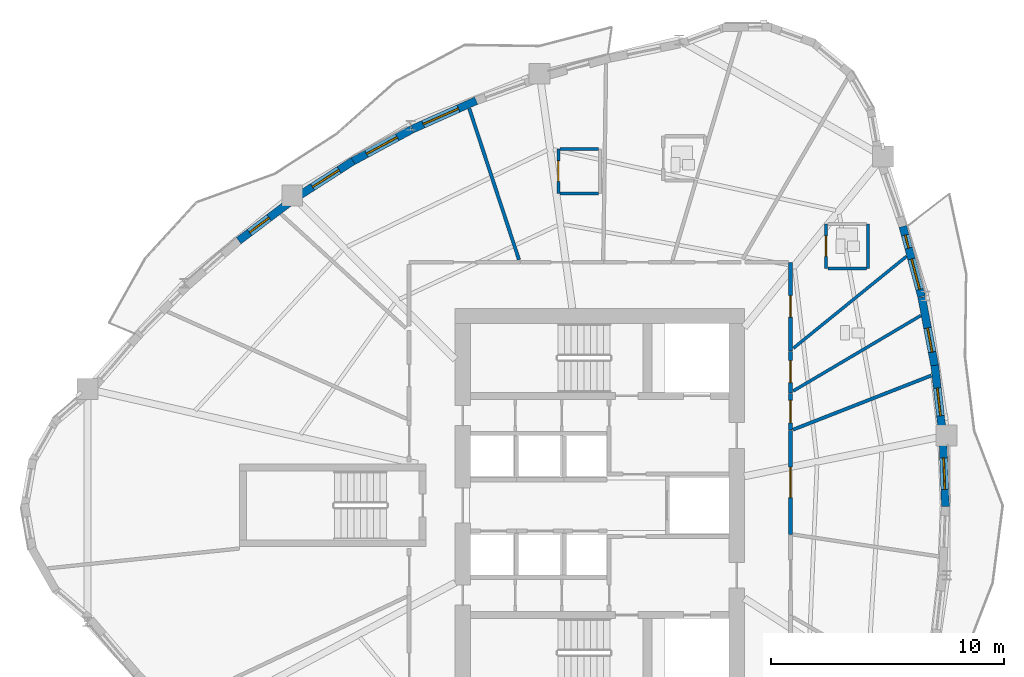
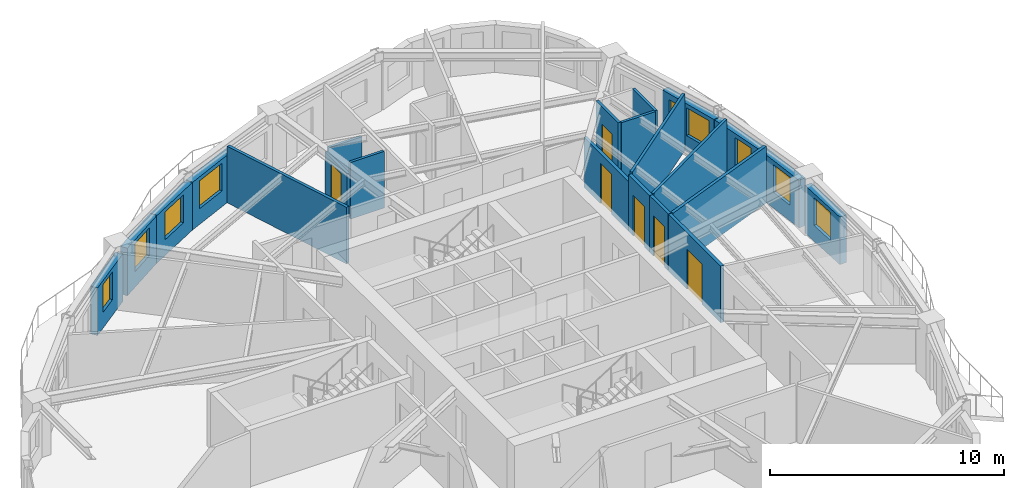
# One storey, part 7 of 12: 22 walls, 9 windows, 6 doors, 15 openings.
"""IFC4 building model written with IfcOpenShell, lengths in metres."""

from ifc_helpers import new_model, si_unit, direction, frame, frame_2d, origin, place, context, subcontext, project, spatial, rectangle, extrude, source, transform, mapped, material, layer, layer_set, type_object, element, fill, save


model = new_model("IFC4")

# Units and contexts
model_context = context("Model", 3, precision=1e-05, world=origin(), true_north=direction((0.0, 1.0)))
body_context = subcontext(model_context, "Body", "Model", "MODEL_VIEW")
ifc_project = project(units=[si_unit("LENGTHUNIT", "METRE"), si_unit("AREAUNIT", "SQUARE_METRE"), si_unit("VOLUMEUNIT", "CUBIC_METRE"), si_unit("PLANEANGLEUNIT", "RADIAN"), si_unit("MASSUNIT", "GRAM", prefix="KILO")], contexts=[model_context])

# Site, building, storey
site_placement = place(None, origin())
site = spatial("IfcSite", under=ifc_project, at=site_placement, CompositionType="ELEMENT")
building_placement = place(site_placement, origin())
building = spatial("IfcBuilding", under=site, at=building_placement, Name="Qafzar Sky-Pleat Residences", CompositionType="ELEMENT")
storey_placement = place(building_placement, frame((0.0, 0.0, 96.0)))
storey = spatial("IfcBuildingStorey", under=building, at=storey_placement, Name="L28", CompositionType="ELEMENT", Elevation=96.0)

# Wall, opening, door
ifc_material_1 = material(Name="Acoustic gypsum plasterboard partition", Category="gypsum")
ifc_layer_1 = layer(ifc_material_1, 0.159912109375)
ifc_layer_set_1 = layer_set([ifc_layer_1], Name="Acoustic gypsum plasterboard partition")
wall_type_1 = type_object("IfcWallType", Name="PART-COR-160", PredefinedType="PARTITIONING", material=ifc_layer_set_1)
wall_1_placement = place(storey_placement, frame((38.530029296875, 29.219970703125, 0.0), z_axis=(0.0, 0.0, 1.0), x_axis=(0.0, -1.0, 0.0)))
wall_1 = element("IfcWall", 1, at=wall_1_placement, inside=storey, type_object=wall_type_1, Name="L28 Partition Wall PART-L28-PW-006", PredefinedType="PARTITIONING", context=body_context, shape_type="SweptSolid", body=[
    extrude(rectangle(XDim=4.467041015625, YDim=0.159912109375, at=frame_2d((2.2333984375, 0.0))), origin(), (0.0, 0.0, 1.0), 2.949951171875),
])
opening_1_placement = place(wall_1_placement, frame((1.583984375, 0.0, 0.0)))
opening_1 = element("IfcOpeningElement", 2, at=opening_1_placement, cuts=wall_1, Name="Opening ID-05", PredefinedType="OPENING", context=body_context, shape_type="SweptSolid", body=[
    extrude(rectangle(XDim=1.300048828125, YDim=2.10009765625, at=frame_2d((0.64990234375, 1.050048828125))), frame((0.0, 0.08984375, 0.0), z_axis=(0.0, -1.0, 0.0), x_axis=(1.0, 0.0, 0.0)), (0.0, 0.0, 1.0), 0.179931640625),
])
ifc_material_2 = material(Name="Timber-faced fire door", Category="wood")
door_type_1 = type_object("IfcDoorType", Name="DR-LNG-1300", OperationType="DOUBLE_DOOR_SINGLE_SWING", PredefinedType="DOOR", material=ifc_material_2)
shared_shape_1 = source(origin(), body_context, "Body", "SweptSolid", [
    extrude(rectangle(XDim=1.300048828125, YDim=2.10009765625, at=frame_2d((0.64990234375, 1.050048828125))), frame((0.0, 0.02490234375, 0.0), z_axis=(0.0, -1.0, 0.0), x_axis=(1.0, 0.0, 0.0)), (0.0, 0.0, 1.0), 0.050048828125),
])
door_1_placement = place(opening_1_placement, origin())
door_1 = element("IfcDoor", 3, at=door_1_placement, inside=storey, type_object=door_type_1, Name="L28 Co-Living Lounge Door", OperationType="DOUBLE_DOOR_SINGLE_SWING", OverallHeight=2.10009765625, OverallWidth=1.300048828125, PredefinedType="DOOR", context=body_context, shape_type="MappedRepresentation", body=[
    mapped(shared_shape_1, transform((0.0, 0.0, 0.0), x_axis=(1.0, 0.0, 0.0), y_axis=(0.0, 1.0, 0.0), z_axis=(0.0, 0.0, 1.0), scale=1.0)),
])
fill(opening_1, door_1)

wall_2_placement = place(storey_placement, frame((38.530029296875, 36.429931640625, 0.0), z_axis=(0.0, 0.0, 1.0), x_axis=(0.0, -1.0, 0.0)))
wall_2 = element("IfcWall", 4, at=wall_2_placement, inside=storey, type_object=wall_type_1, Name="L28 Partition Wall PART-L28-PW-009", PredefinedType="PARTITIONING", context=body_context, shape_type="SweptSolid", body=[
    extrude(rectangle(XDim=3.809814453125, YDim=0.159912109375, at=frame_2d((1.90478515625, 0.0))), origin(), (0.0, 0.0, 1.0), 2.587890625),
])
opening_2_placement = place(wall_2_placement, frame((1.435546875, 0.0, 0.0)))
opening_2 = element("IfcOpeningElement", 5, at=opening_2_placement, cuts=wall_2, Name="Opening ID-04", PredefinedType="OPENING", context=body_context, shape_type="SweptSolid", body=[
    extrude(rectangle(XDim=0.919921875, YDim=2.10009765625, at=frame_2d((0.4599609375, 1.050048828125))), frame((0.0, 0.08984375, 0.0), z_axis=(0.0, -1.0, 0.0), x_axis=(1.0, 0.0, 0.0)), (0.0, 0.0, 1.0), 0.179931640625),
])
door_type_2 = type_object("IfcDoorType", Name="DR-BED-920", OperationType="NOTDEFINED", PredefinedType="DOOR", material=ifc_material_2)
shared_shape_2 = source(origin(), body_context, "Body", "SweptSolid", [
    extrude(rectangle(XDim=0.919921875, YDim=2.10009765625, at=frame_2d((0.4599609375, 1.050048828125))), frame((0.0, 0.02490234375, 0.0), z_axis=(0.0, -1.0, 0.0), x_axis=(1.0, 0.0, 0.0)), (0.0, 0.0, 1.0), 0.050048828125),
])
door_2_placement = place(opening_2_placement, origin())
door_2 = element("IfcDoor", 6, at=door_2_placement, inside=storey, type_object=door_type_2, Name="L28 Co-Living Bedroom 2 Door", OperationType="SINGLE_SWING_LEFT", OverallHeight=2.10009765625, OverallWidth=0.919921875, PredefinedType="DOOR", context=body_context, shape_type="MappedRepresentation", body=[
    mapped(shared_shape_2, transform((0.0, 0.0, 0.0), x_axis=(1.0, 0.0, 0.0), y_axis=(0.0, 1.0, 0.0), z_axis=(0.0, 0.0, 1.0), scale=1.0)),
])
fill(opening_2, door_2)

wall_3_placement = place(storey_placement, frame((38.530029296875, 32.60498046875, 0.0), z_axis=(0.0, 0.0, 1.0), x_axis=(0.0, -1.0, 0.0)))
wall_3 = element("IfcWall", 7, at=wall_3_placement, inside=storey, type_object=wall_type_1, Name="L28 Partition Wall PART-L28-PW-020", PredefinedType="PARTITIONING", context=body_context, shape_type="SweptSolid", body=[
    extrude(rectangle(XDim=1.785888671875, YDim=0.159912109375, at=frame_2d((0.89306640625, 0.0))), origin(), (0.0, 0.0, 1.0), 2.949951171875),
])
opening_3_placement = place(wall_3_placement, frame((0.392578125, 0.0, 0.0)))
opening_3 = element("IfcOpeningElement", 8, at=opening_3_placement, cuts=wall_3, Name="Opening ID-08", PredefinedType="OPENING", context=body_context, shape_type="SweptSolid", body=[
    extrude(rectangle(XDim=0.949951171875, YDim=2.10009765625, at=frame_2d((0.47509765625, 1.050048828125))), frame((0.0, 0.08984375, 0.0), z_axis=(0.0, -1.0, 0.0), x_axis=(1.0, 0.0, 0.0)), (0.0, 0.0, 1.0), 0.179931640625),
])
door_type_3 = type_object("IfcDoorType", Name="DR-AWC-950", OperationType="NOTDEFINED", PredefinedType="DOOR", material=ifc_material_2)
shared_shape_3 = source(origin(), body_context, "Body", "SweptSolid", [
    extrude(rectangle(XDim=0.949951171875, YDim=2.10009765625, at=frame_2d((0.47509765625, 1.050048828125))), frame((0.0, 0.02490234375, 0.0), z_axis=(0.0, -1.0, 0.0), x_axis=(1.0, 0.0, 0.0)), (0.0, 0.0, 1.0), 0.050048828125),
])
door_3_placement = place(opening_3_placement, origin())
door_3 = element("IfcDoor", 9, at=door_3_placement, inside=storey, type_object=door_type_3, Name="L28 Accessible Shared Washroom Door", OperationType="SINGLE_SWING_LEFT", OverallHeight=2.10009765625, OverallWidth=0.949951171875, PredefinedType="DOOR", context=body_context, shape_type="MappedRepresentation", body=[
    mapped(shared_shape_3, transform((0.0, 0.0, 0.0), x_axis=(1.0, 0.0, 0.0), y_axis=(0.0, 1.0, 0.0), z_axis=(0.0, 0.0, 1.0), scale=1.0)),
])
fill(opening_3, door_3)

wall_4_placement = place(storey_placement, frame((38.530029296875, 30.803955078125, 0.0), z_axis=(0.0, 0.0, 1.0), x_axis=(0.0, -1.0, 0.0)))
wall_4 = element("IfcWall", 10, at=wall_4_placement, inside=storey, type_object=wall_type_1, Name="L28 Partition Wall PART-L28-PW-021", PredefinedType="PARTITIONING", context=body_context, shape_type="SweptSolid", body=[
    extrude(rectangle(XDim=1.56884765625, YDim=0.159912109375, at=frame_2d((0.784423828125, 0.0))), origin(), (0.0, 0.0, 1.0), 2.949951171875),
])
opening_4_placement = place(wall_4_placement, frame((0.303955078125, 0.0, 0.0)))
opening_4 = element("IfcOpeningElement", 11, at=opening_4_placement, cuts=wall_4, Name="Opening ID-06", PredefinedType="OPENING", context=body_context, shape_type="SweptSolid", body=[
    extrude(rectangle(XDim=0.9599609375, YDim=2.10009765625, at=frame_2d((0.47998046875, 1.050048828125))), frame((0.0, 0.08984375, 0.0), z_axis=(0.0, -1.0, 0.0), x_axis=(1.0, 0.0, 0.0)), (0.0, 0.0, 1.0), 0.179931640625),
])
door_type_4 = type_object("IfcDoorType", Name="DR-STD-960", OperationType="NOTDEFINED", PredefinedType="DOOR", material=ifc_material_2)
shared_shape_4 = source(origin(), body_context, "Body", "SweptSolid", [
    extrude(rectangle(XDim=0.9599609375, YDim=2.10009765625, at=frame_2d((0.47998046875, 1.050048828125))), frame((0.0, 0.02490234375, 0.0), z_axis=(0.0, -1.0, 0.0), x_axis=(1.0, 0.0, 0.0)), (0.0, 0.0, 1.0), 0.050048828125),
])
door_4_placement = place(opening_4_placement, origin())
door_4 = element("IfcDoor", 12, at=door_4_placement, inside=storey, type_object=door_type_4, Name="L28 Scholar Study Room Door", OperationType="SINGLE_SWING_RIGHT", OverallHeight=2.10009765625, OverallWidth=0.9599609375, PredefinedType="DOOR", context=body_context, shape_type="MappedRepresentation", body=[
    mapped(shared_shape_4, transform((0.0, 0.0, 0.0), x_axis=(1.0, 0.0, 0.0), y_axis=(0.0, 1.0, 0.0), z_axis=(0.0, 0.0, 1.0), scale=1.0)),
])
fill(opening_4, door_4)

# Walls
ifc_layer_2 = layer(ifc_material_1, 0.14501953125)
ifc_layer_set_2 = layer_set([ifc_layer_2], Name="Acoustic gypsum plasterboard partition")
wall_type_2 = type_object("IfcWallType", Name="PART-UNIT-145", PredefinedType="PARTITIONING", material=ifc_layer_set_2)
wall_5_placement = place(storey_placement, frame((24.751953125, 43.027099609375, 0.0), z_axis=(0.0, 0.0, 1.0), x_axis=(0.312342290808, -0.949969627606, 0.0)))
element("IfcWall", 13, at=wall_5_placement, inside=storey, type_object=wall_type_2, Name="L28 Partition Wall PART-L28-PW-031", PredefinedType="PARTITIONING", context=body_context, shape_type="SweptSolid", body=[
    extrude(rectangle(XDim=6.828369140625, YDim=0.14501953125, at=frame_2d((3.4140625, 0.0))), origin(), (0.0, 0.0, 1.0), 2.949951171875),
])
wall_6_placement = place(storey_placement, frame((38.643798828125, 29.24853515625, 0.0), z_axis=(0.0, 0.0, 1.0), x_axis=(0.931159602012, 0.364611842349, 0.0)))
element("IfcWall", 14, at=wall_6_placement, inside=storey, type_object=wall_type_2, Name="L28 Partition Wall PART-L28-PW-032", PredefinedType="PARTITIONING", context=body_context, shape_type="SweptSolid", body=[
    extrude(rectangle(XDim=6.367919921875, YDim=0.14501953125, at=frame_2d((3.18408203125, 0.0))), origin(), (0.0, 0.0, 1.0), 2.949951171875),
])

# Wall, opening, door
ifc_material_3 = material(Name="Moisture-resistant gypsum partition", Category="gypsum")
ifc_layer_3 = layer(ifc_material_3, 0.1298828125)
ifc_layer_set_3 = layer_set([ifc_layer_3], Name="Moisture-resistant gypsum partition")
wall_type_3 = type_object("IfcWallType", Name="PART-WET-130", PredefinedType="PARTITIONING", material=ifc_layer_set_3)
wall_7_placement = place(storey_placement, frame((40.05810546875, 38.06689453125, 0.0), z_axis=(0.0, 0.0, 1.0), x_axis=(0.0, -1.0, 0.0)))
wall_7 = element("IfcWall", 15, at=wall_7_placement, inside=storey, type_object=wall_type_3, Name="L28 Partition Wall PART-L28-PW-016", PredefinedType="PARTITIONING", context=body_context, shape_type="SweptSolid", body=[
    extrude(rectangle(XDim=1.89990234375, YDim=0.1298828125, at=frame_2d((0.949951171875, 0.0))), origin(), (0.0, 0.0, 1.0), 2.949951171875),
])
opening_5_placement = place(wall_7_placement, frame((0.510009765625, 0.0, 0.0)))
opening_5 = element("IfcOpeningElement", 16, at=opening_5_placement, cuts=wall_7, Name="Opening ID-07", PredefinedType="OPENING", context=body_context, shape_type="SweptSolid", body=[
    extrude(rectangle(XDim=0.8798828125, YDim=2.050048828125, at=frame_2d((0.43994140625, 1.02490234375))), frame((0.0, 0.074951171875, 0.0), z_axis=(0.0, -1.0, 0.0), x_axis=(1.0, 0.0, 0.0)), (0.0, 0.0, 1.0), 0.14990234375),
])
door_type_5 = type_object("IfcDoorType", Name="DR-WET-880", OperationType="NOTDEFINED", PredefinedType="DOOR", material=ifc_material_2)
shared_shape_5 = source(origin(), body_context, "Body", "SweptSolid", [
    extrude(rectangle(XDim=0.8798828125, YDim=2.050048828125, at=frame_2d((0.43994140625, 1.02490234375))), frame((0.0, 0.02490234375, 0.0), z_axis=(0.0, -1.0, 0.0), x_axis=(1.0, 0.0, 0.0)), (0.0, 0.0, 1.0), 0.050048828125),
])
door_5_placement = place(opening_5_placement, origin())
door_5 = element("IfcDoor", 17, at=door_5_placement, inside=storey, type_object=door_type_5, Name="L28 En-suite Bathroom 2 Door", OperationType="SINGLE_SWING_RIGHT", OverallHeight=2.050048828125, OverallWidth=0.8798828125, PredefinedType="DOOR", context=body_context, shape_type="MappedRepresentation", body=[
    mapped(shared_shape_5, transform((0.0, 0.0, 0.0), x_axis=(1.0, 0.0, 0.0), y_axis=(0.0, 1.0, 0.0), z_axis=(0.0, 0.0, 1.0), scale=1.0)),
])
fill(opening_5, door_5)

wall_8_placement = place(storey_placement, frame((28.570068359375, 41.285888671875, 0.0), z_axis=(0.0, 0.0, 1.0), x_axis=(0.0, -1.0, 0.0)))
wall_8 = element("IfcWall", 18, at=wall_8_placement, inside=storey, type_object=wall_type_3, Name="L28 Partition Wall PART-L28-PW-018", PredefinedType="PARTITIONING", context=body_context, shape_type="SweptSolid", body=[
    extrude(rectangle(XDim=1.89990234375, YDim=0.1298828125, at=frame_2d((0.949951171875, 0.0))), origin(), (0.0, 0.0, 1.0), 2.367919921875),
])
opening_6_placement = place(wall_8_placement, frame((0.510009765625, 0.0, 0.0)))
opening_6 = element("IfcOpeningElement", 19, at=opening_6_placement, cuts=wall_8, Name="Opening ID-07", PredefinedType="OPENING", context=body_context, shape_type="SweptSolid", body=[
    extrude(rectangle(XDim=0.8798828125, YDim=2.050048828125, at=frame_2d((0.43994140625, 1.02490234375))), frame((0.0, 0.074951171875, 0.0), z_axis=(0.0, -1.0, 0.0), x_axis=(1.0, 0.0, 0.0)), (0.0, 0.0, 1.0), 0.14990234375),
])
door_6_placement = place(opening_6_placement, origin())
door_6 = element("IfcDoor", 20, at=door_6_placement, inside=storey, type_object=door_type_5, Name="L28 En-suite Bathroom 4 Door", OperationType="SINGLE_SWING_RIGHT", OverallHeight=2.050048828125, OverallWidth=0.8798828125, PredefinedType="DOOR", context=body_context, shape_type="MappedRepresentation", body=[
    mapped(shared_shape_5, transform((0.0, 0.0, 0.0), x_axis=(1.0, 0.0, 0.0), y_axis=(0.0, 1.0, 0.0), z_axis=(0.0, 0.0, 1.0), scale=1.0)),
])
fill(opening_6, door_6)

# Walls
wall_9_placement = place(storey_placement, frame((38.64990234375, 30.906982421875, 0.0), z_axis=(0.0, 0.0, 1.0), x_axis=(0.860799697267, 0.508943888052, 0.0)))
element("IfcWall", 21, at=wall_9_placement, inside=storey, type_object=wall_type_3, Name="L28 Partition Wall PART-L28-PW-033", PredefinedType="PARTITIONING", context=body_context, shape_type="SweptSolid", body=[
    extrude(rectangle(XDim=6.36279296875, YDim=0.1298828125, at=frame_2d((3.181396484375, 0.0))), origin(), (0.0, 0.0, 1.0), 2.949951171875),
])
wall_10_placement = place(storey_placement, frame((38.6572265625, 32.7421875, 0.0), z_axis=(0.0, 0.0, 1.0), x_axis=(0.776413778101, 0.630223488276, 0.0)))
element("IfcWall", 22, at=wall_10_placement, inside=storey, type_object=wall_type_3, Name="L28 Partition Wall PART-L28-PW-036", PredefinedType="PARTITIONING", context=body_context, shape_type="SweptSolid", body=[
    extrude(rectangle(XDim=6.2509765625, YDim=0.1298828125, at=frame_2d((3.12548828125, 0.0))), origin(), (0.0, 0.0, 1.0), 2.949951171875),
])
wall_11_placement = place(storey_placement, frame((41.85791015625, 36.1669921875, 0.0), z_axis=(0.0, 0.0, 1.0), x_axis=(0.0, 1.0, 0.0)))
element("IfcWall", 23, at=wall_11_placement, inside=storey, type_object=wall_type_3, Name="L28 Partition Wall PART-L28-PW-043", PredefinedType="PARTITIONING", context=body_context, shape_type="SweptSolid", body=[
    extrude(rectangle(XDim=1.89990234375, YDim=0.1298828125, at=frame_2d((0.949951171875, 0.0))), origin(), (0.0, 0.0, 1.0), 2.949951171875),
])
wall_12_placement = place(storey_placement, frame((28.64306640625, 41.285888671875, 0.0), z_axis=(0.0, 0.0, 1.0), x_axis=(1.0, 0.0, 0.0)))
element("IfcWall", 24, at=wall_12_placement, inside=storey, type_object=wall_type_3, Name="L28 Partition Wall PART-L28-PW-048", PredefinedType="PARTITIONING", context=body_context, shape_type="SweptSolid", body=[
    extrude(rectangle(XDim=1.654052734375, YDim=0.1298828125, at=frame_2d((0.8271484375, 0.0))), origin(), (0.0, 0.0, 1.0), 2.55810546875),
])
wall_13_placement = place(storey_placement, frame((28.64306640625, 39.385986328125, 0.0), z_axis=(0.0, 0.0, 1.0), x_axis=(1.0, 0.0, 0.0)))
element("IfcWall", 25, at=wall_13_placement, inside=storey, type_object=wall_type_3, Name="L28 Partition Wall PART-L28-PW-049", PredefinedType="PARTITIONING", context=body_context, shape_type="SweptSolid", body=[
    extrude(rectangle(XDim=1.654052734375, YDim=0.1298828125, at=frame_2d((0.8271484375, 0.0))), origin(), (0.0, 0.0, 1.0), 2.949951171875),
])
wall_14_placement = place(storey_placement, frame((40.131103515625, 36.1669921875, 0.0), z_axis=(0.0, 0.0, 1.0), x_axis=(1.0, 0.0, 0.0)))
element("IfcWall", 26, at=wall_14_placement, inside=storey, type_object=wall_type_3, Name="L28 Partition Wall PART-L28-PW-051", PredefinedType="PARTITIONING", context=body_context, shape_type="SweptSolid", body=[
    extrude(rectangle(XDim=1.65380859375, YDim=0.1298828125, at=frame_2d((0.826904296875, 0.0))), origin(), (0.0, 0.0, 1.0), 2.949951171875),
])

# Wall, opening, window
ifc_material_4 = material(Name="Precast concrete C40/50 with honed Riyadh limestone", Category="concrete")
ifc_layer_4 = layer(ifc_material_4, 0.340087890625)
ifc_layer_set_4 = layer_set([ifc_layer_4], Name="Precast concrete C40/50 with honed Riyadh limestone")
wall_type_4 = type_object("IfcWallType", Name="WALL-EXT-340", PredefinedType="SOLIDWALL", material=ifc_layer_set_4)
wall_15_placement = place(storey_placement, frame((45.18115234375, 25.95556640625, 0.0), z_axis=(0.0, 0.0, 1.0), x_axis=(-0.037958336355, 0.999279322663, 0.0)))
wall_15 = element("IfcWall", 27, at=wall_15_placement, inside=storey, type_object=wall_type_4, Name="L28 Limestone Facade Wall 28", PredefinedType="SOLIDWALL", context=body_context, shape_type="SweptSolid", body=[
    extrude(rectangle(XDim=2.80419921875, YDim=0.340087890625, at=frame_2d((1.402099609375, 0.0))), origin(), (0.0, 0.0, 1.0), 2.47998046875),
])
opening_7_placement = place(wall_15_placement, frame((0.732177734375, 0.0, 0.820068359375)))
opening_7 = element("IfcOpeningElement", 28, at=opening_7_placement, cuts=wall_15, Name="Opening WN-04", PredefinedType="OPENING", context=body_context, shape_type="SweptSolid", body=[
    extrude(rectangle(XDim=1.35009765625, YDim=1.449951171875, at=frame_2d((0.675048828125, 0.72509765625))), frame((0.0, 0.18017578125, 0.0), z_axis=(0.0, -1.0, 0.0), x_axis=(1.0, 0.0, 0.0)), (0.0, 0.0, 1.0), 0.360107421875),
])
ifc_material_5 = material(Name="Solar-control low-E glass in bronze aluminium frame", Category="glass")
window_type_1 = type_object("IfcWindowType", Name="WIN-04", PartitioningType="SINGLE_PANEL", PredefinedType="WINDOW", material=ifc_material_5)
shared_shape_6 = source(origin(), body_context, "Body", "SweptSolid", [
    extrude(rectangle(XDim=1.35009765625, YDim=1.449951171875, at=frame_2d((0.675048828125, 0.72509765625))), frame((0.0, 0.030029296875, 0.0), z_axis=(0.0, -1.0, 0.0), x_axis=(1.0, 0.0, 0.0)), (0.0, 0.0, 1.0), 0.06005859375),
])
window_1_placement = place(opening_7_placement, origin())
window_1 = element("IfcWindow", 29, at=window_1_placement, inside=storey, type_object=window_type_1, Name="L28 Punched Facade Window 28", OverallHeight=1.449951171875, OverallWidth=1.35009765625, PartitioningType="SINGLE_PANEL", PredefinedType="WINDOW", context=body_context, shape_type="MappedRepresentation", body=[
    mapped(shared_shape_6, transform((0.0, 0.0, 0.0), x_axis=(1.0, 0.0, 0.0), y_axis=(0.0, 1.0, 0.0), z_axis=(0.0, 0.0, 1.0), scale=1.0)),
])
fill(opening_7, window_1)

wall_16_placement = place(storey_placement, frame((45.040771484375, 29.20361328125, 0.0), z_axis=(0.0, 0.0, 1.0), x_axis=(-0.113261075266, 0.993565261485, 0.0)))
wall_16 = element("IfcWall", 30, at=wall_16_placement, inside=storey, type_object=wall_type_4, Name="L28 Limestone Facade Wall 29", PredefinedType="SOLIDWALL", context=body_context, shape_type="SweptSolid", body=[
    extrude(rectangle(XDim=2.821533203125, YDim=0.340087890625, at=frame_2d((1.41064453125, 0.0))), origin(), (0.0, 0.0, 1.0), 2.47998046875),
])
opening_8_placement = place(wall_16_placement, frame((0.64208984375, 0.0, 0.820068359375)))
opening_8 = element("IfcOpeningElement", 31, at=opening_8_placement, cuts=wall_16, Name="Opening WN-05", PredefinedType="OPENING", context=body_context, shape_type="SweptSolid", body=[
    extrude(rectangle(XDim=1.199951171875, YDim=1.449951171875, at=frame_2d((0.60009765625, 0.72509765625))), frame((0.0, 0.18017578125, 0.0), z_axis=(0.0, -1.0, 0.0), x_axis=(1.0, 0.0, 0.0)), (0.0, 0.0, 1.0), 0.360107421875),
])
window_type_2 = type_object("IfcWindowType", Name="WIN-05", PartitioningType="SINGLE_PANEL", PredefinedType="WINDOW", material=ifc_material_5)
shared_shape_7 = source(origin(), body_context, "Body", "SweptSolid", [
    extrude(rectangle(XDim=1.199951171875, YDim=1.449951171875, at=frame_2d((0.60009765625, 0.72509765625))), frame((0.0, 0.030029296875, 0.0), z_axis=(0.0, -1.0, 0.0), x_axis=(1.0, 0.0, 0.0)), (0.0, 0.0, 1.0), 0.06005859375),
])
window_2_placement = place(opening_8_placement, origin())
window_2 = element("IfcWindow", 32, at=window_2_placement, inside=storey, type_object=window_type_2, Name="L28 Punched Facade Window 29", OverallHeight=1.449951171875, OverallWidth=1.199951171875, PartitioningType="SINGLE_PANEL", PredefinedType="WINDOW", context=body_context, shape_type="MappedRepresentation", body=[
    mapped(shared_shape_7, transform((0.0, 0.0, 0.0), x_axis=(1.0, 0.0, 0.0), y_axis=(0.0, 1.0, 0.0), z_axis=(0.0, 0.0, 1.0), scale=1.0)),
])
fill(opening_8, window_2)

wall_17_placement = place(storey_placement, frame((44.734619140625, 31.91943359375, 0.0), z_axis=(0.0, 0.0, 1.0), x_axis=(-0.186735196273, 0.982410284185, 0.0)))
wall_17 = element("IfcWall", 33, at=wall_17_placement, inside=storey, type_object=wall_type_4, Name="L28 Limestone Facade Wall 30", PredefinedType="SOLIDWALL", context=body_context, shape_type="SweptSolid", body=[
    extrude(rectangle(XDim=3.06591796875, YDim=0.340087890625, at=frame_2d((1.532958984375, 0.0))), origin(), (0.0, 0.0, 1.0), 2.47998046875),
])
opening_9_placement = place(wall_17_placement, frame((0.668701171875, 0.0, 0.820068359375)))
opening_9 = element("IfcOpeningElement", 34, at=opening_9_placement, cuts=wall_17, Name="Opening WN-06", PredefinedType="OPENING", context=body_context, shape_type="SweptSolid", body=[
    extrude(rectangle(XDim=1.050048828125, YDim=1.449951171875, at=frame_2d((0.52490234375, 0.72509765625))), frame((0.0, 0.18017578125, 0.0), z_axis=(0.0, -1.0, 0.0), x_axis=(1.0, 0.0, 0.0)), (0.0, 0.0, 1.0), 0.360107421875),
])
window_type_3 = type_object("IfcWindowType", Name="WIN-06", PartitioningType="SINGLE_PANEL", PredefinedType="WINDOW", material=ifc_material_5)
shared_shape_8 = source(origin(), body_context, "Body", "SweptSolid", [
    extrude(rectangle(XDim=1.050048828125, YDim=1.449951171875, at=frame_2d((0.52490234375, 0.72509765625))), frame((0.0, 0.030029296875, 0.0), z_axis=(0.0, -1.0, 0.0), x_axis=(1.0, 0.0, 0.0)), (0.0, 0.0, 1.0), 0.06005859375),
])
window_3_placement = place(opening_9_placement, origin())
window_3 = element("IfcWindow", 35, at=window_3_placement, inside=storey, type_object=window_type_3, Name="L28 Punched Facade Window 30", OverallHeight=1.449951171875, OverallWidth=1.050048828125, PartitioningType="SINGLE_PANEL", PredefinedType="WINDOW", context=body_context, shape_type="MappedRepresentation", body=[
    mapped(shared_shape_8, transform((0.0, 0.0, 0.0), x_axis=(1.0, 0.0, 0.0), y_axis=(0.0, 1.0, 0.0), z_axis=(0.0, 0.0, 1.0), scale=1.0)),
])
fill(opening_9, window_3)

# Wall, openings, windows
wall_18_placement = place(storey_placement, frame((44.156005859375, 34.958251953125, 0.0), z_axis=(0.0, 0.0, 1.0), x_axis=(-0.257033600382, 0.966402467026, 0.0)))
wall_18 = element("IfcWall", 36, at=wall_18_placement, inside=storey, type_object=wall_type_4, Name="L28 Limestone Facade Wall 31", PredefinedType="SOLIDWALL", context=body_context, shape_type="SweptSolid", body=[
    extrude(rectangle(XDim=3.116455078125, YDim=0.340087890625, at=frame_2d((1.55810546875, 0.0))), origin(), (0.0, 0.0, 1.0), 2.47998046875),
])
opening_10_placement = place(wall_18_placement, frame((0.315185546875, 0.0, 0.820068359375)))
opening_10 = element("IfcOpeningElement", 37, at=opening_10_placement, cuts=wall_18, Name="Opening WN-04", PredefinedType="OPENING", context=body_context, shape_type="SweptSolid", body=[
    extrude(rectangle(XDim=1.35009765625, YDim=1.449951171875, at=frame_2d((0.675048828125, 0.72509765625))), frame((0.0, 0.18017578125, 0.0), z_axis=(0.0, -1.0, 0.0), x_axis=(1.0, 0.0, 0.0)), (0.0, 0.0, 1.0), 0.360107421875),
])
opening_11_placement = place(wall_18_placement, frame((2.1484375, 0.0, 0.820068359375)))
opening_11 = element("IfcOpeningElement", 38, at=opening_11_placement, cuts=wall_18, Name="Opening WN-17", PredefinedType="OPENING", context=body_context, shape_type="SweptSolid", body=[
    extrude(rectangle(XDim=0.580078125, YDim=1.35009765625, at=frame_2d((0.2900390625, 0.675048828125))), frame((0.0, 0.18017578125, 0.0), z_axis=(0.0, -1.0, 0.0), x_axis=(1.0, 0.0, 0.0)), (0.0, 0.0, 1.0), 0.360107421875),
])
window_type_4 = type_object("IfcWindowType", Name="WIN-17", PartitioningType="SINGLE_PANEL", PredefinedType="WINDOW", material=ifc_material_5)
shared_shape_9 = source(origin(), body_context, "Body", "SweptSolid", [
    extrude(rectangle(XDim=0.580078125, YDim=1.35009765625, at=frame_2d((0.2900390625, 0.675048828125))), frame((0.0, 0.030029296875, 0.0), z_axis=(0.0, -1.0, 0.0), x_axis=(1.0, 0.0, 0.0)), (0.0, 0.0, 1.0), 0.06005859375),
])
window_4_placement = place(opening_11_placement, origin())
window_4 = element("IfcWindow", 39, at=window_4_placement, inside=storey, type_object=window_type_4, Name="L28 Punched Facade Window 31-2", OverallHeight=1.35009765625, OverallWidth=0.580078125, PartitioningType="SINGLE_PANEL", PredefinedType="WINDOW", context=body_context, shape_type="MappedRepresentation", body=[
    mapped(shared_shape_9, transform((0.0, 0.0, 0.0), x_axis=(1.0, 0.0, 0.0), y_axis=(0.0, 1.0, 0.0), z_axis=(0.0, 0.0, 1.0), scale=1.0)),
])
fill(opening_11, window_4)
window_5_placement = place(opening_10_placement, origin())
window_5 = element("IfcWindow", 40, at=window_5_placement, inside=storey, type_object=window_type_1, Name="L28 Punched Facade Window 31", OverallHeight=1.449951171875, OverallWidth=1.35009765625, PartitioningType="SINGLE_PANEL", PredefinedType="WINDOW", context=body_context, shape_type="MappedRepresentation", body=[
    mapped(shared_shape_6, transform((0.0, 0.0, 0.0), x_axis=(1.0, 0.0, 0.0), y_axis=(0.0, 1.0, 0.0), z_axis=(0.0, 0.0, 1.0), scale=1.0)),
])
fill(opening_10, window_5)

# Wall, opening, window
wall_19_placement = place(storey_placement, frame((25.05029296875, 43.36279296875, 0.0), z_axis=(0.0, 0.0, 1.0), x_axis=(-0.913433400489, -0.406988234315, 0.0)))
wall_19 = element("IfcWall", 41, at=wall_19_placement, inside=storey, type_object=wall_type_4, Name="L28 Limestone Facade Wall 42", PredefinedType="SOLIDWALL", context=body_context, shape_type="SweptSolid", body=[
    extrude(rectangle(XDim=2.98486328125, YDim=0.340087890625, at=frame_2d((1.492431640625, 0.0))), origin(), (0.0, 0.0, 1.0), 2.47998046875),
])
opening_12_placement = place(wall_19_placement, frame((0.8408203125, 0.0, 0.820068359375)))
opening_12 = element("IfcOpeningElement", 42, at=opening_12_placement, cuts=wall_19, Name="Opening WN-02", PredefinedType="OPENING", context=body_context, shape_type="SweptSolid", body=[
    extrude(rectangle(XDim=1.64990234375, YDim=1.449951171875, at=frame_2d((0.824951171875, 0.72509765625))), frame((0.0, 0.18017578125, 0.0), z_axis=(0.0, -1.0, 0.0), x_axis=(1.0, 0.0, 0.0)), (0.0, 0.0, 1.0), 0.360107421875),
])
window_type_5 = type_object("IfcWindowType", Name="WIN-02", PartitioningType="DOUBLE_PANEL_VERTICAL", PredefinedType="WINDOW", material=ifc_material_5)
shared_shape_10 = source(origin(), body_context, "Body", "SweptSolid", [
    extrude(rectangle(XDim=1.64990234375, YDim=1.449951171875, at=frame_2d((0.824951171875, 0.72509765625))), frame((0.0, 0.030029296875, 0.0), z_axis=(0.0, -1.0, 0.0), x_axis=(1.0, 0.0, 0.0)), (0.0, 0.0, 1.0), 0.06005859375),
])
window_6_placement = place(opening_12_placement, origin())
window_6 = element("IfcWindow", 43, at=window_6_placement, inside=storey, type_object=window_type_5, Name="L28 Punched Facade Window 42", OverallHeight=1.449951171875, OverallWidth=1.64990234375, PartitioningType="SINGLE_PANEL", PredefinedType="WINDOW", context=body_context, shape_type="MappedRepresentation", body=[
    mapped(shared_shape_10, transform((0.0, 0.0, 0.0), x_axis=(1.0, 0.0, 0.0), y_axis=(0.0, 1.0, 0.0), z_axis=(0.0, 0.0, 1.0), scale=1.0)),
])
fill(opening_12, window_6)

wall_20_placement = place(storey_placement, frame((22.29931640625, 42.135986328125, 0.0), z_axis=(0.0, 0.0, 1.0), x_axis=(-0.880093106551, -0.474801141323, 0.0)))
wall_20 = element("IfcWall", 44, at=wall_20_placement, inside=storey, type_object=wall_type_4, Name="L28 Limestone Facade Wall 43", PredefinedType="SOLIDWALL", context=body_context, shape_type="SweptSolid", body=[
    extrude(rectangle(XDim=2.968017578125, YDim=0.340087890625, at=frame_2d((1.48388671875, 0.0))), origin(), (0.0, 0.0, 1.0), 2.47998046875),
])
opening_13_placement = place(wall_20_placement, frame((0.72412109375, 0.0, 0.820068359375)))
opening_13 = element("IfcOpeningElement", 45, at=opening_13_placement, cuts=wall_20, Name="Opening WN-03", PredefinedType="OPENING", context=body_context, shape_type="SweptSolid", body=[
    extrude(rectangle(XDim=1.5, YDim=1.449951171875, at=frame_2d((0.75, 0.72509765625))), frame((0.0, 0.18017578125, 0.0), z_axis=(0.0, -1.0, 0.0), x_axis=(1.0, 0.0, 0.0)), (0.0, 0.0, 1.0), 0.360107421875),
])
window_type_6 = type_object("IfcWindowType", Name="WIN-03", PartitioningType="DOUBLE_PANEL_VERTICAL", PredefinedType="WINDOW", material=ifc_material_5)
shared_shape_11 = source(origin(), body_context, "Body", "SweptSolid", [
    extrude(rectangle(XDim=1.5, YDim=1.449951171875, at=frame_2d((0.75, 0.72509765625))), frame((0.0, 0.030029296875, 0.0), z_axis=(0.0, -1.0, 0.0), x_axis=(1.0, 0.0, 0.0)), (0.0, 0.0, 1.0), 0.06005859375),
])
window_7_placement = place(opening_13_placement, origin())
window_7 = element("IfcWindow", 46, at=window_7_placement, inside=storey, type_object=window_type_6, Name="L28 Punched Facade Window 43", OverallHeight=1.449951171875, OverallWidth=1.5, PartitioningType="SINGLE_PANEL", PredefinedType="WINDOW", context=body_context, shape_type="MappedRepresentation", body=[
    mapped(shared_shape_11, transform((0.0, 0.0, 0.0), x_axis=(1.0, 0.0, 0.0), y_axis=(0.0, 1.0, 0.0), z_axis=(0.0, 0.0, 1.0), scale=1.0)),
])
fill(opening_13, window_7)

wall_21_placement = place(storey_placement, frame((19.763671875, 40.77197265625, 0.0), z_axis=(0.0, 0.0, 1.0), x_axis=(-0.841500460675, -0.54025639717, 0.0)))
wall_21 = element("IfcWall", 47, at=wall_21_placement, inside=storey, type_object=wall_type_4, Name="L28 Limestone Facade Wall 44", PredefinedType="SOLIDWALL", context=body_context, shape_type="SweptSolid", body=[
    extrude(rectangle(XDim=2.7578125, YDim=0.340087890625, at=frame_2d((1.37890625, 0.0))), origin(), (0.0, 0.0, 1.0), 2.47998046875),
])
opening_14_placement = place(wall_21_placement, frame((0.708984375, 0.0, 0.820068359375)))
opening_14 = element("IfcOpeningElement", 48, at=opening_14_placement, cuts=wall_21, Name="Opening WN-04", PredefinedType="OPENING", context=body_context, shape_type="SweptSolid", body=[
    extrude(rectangle(XDim=1.35009765625, YDim=1.449951171875, at=frame_2d((0.675048828125, 0.72509765625))), frame((0.0, 0.18017578125, 0.0), z_axis=(0.0, -1.0, 0.0), x_axis=(1.0, 0.0, 0.0)), (0.0, 0.0, 1.0), 0.360107421875),
])
window_8_placement = place(opening_14_placement, origin())
window_8 = element("IfcWindow", 49, at=window_8_placement, inside=storey, type_object=window_type_1, Name="L28 Punched Facade Window 44", OverallHeight=1.449951171875, OverallWidth=1.35009765625, PartitioningType="SINGLE_PANEL", PredefinedType="WINDOW", context=body_context, shape_type="MappedRepresentation", body=[
    mapped(shared_shape_6, transform((0.0, 0.0, 0.0), x_axis=(1.0, 0.0, 0.0), y_axis=(0.0, 1.0, 0.0), z_axis=(0.0, 0.0, 1.0), scale=1.0)),
])
fill(opening_14, window_8)

wall_22_placement = place(storey_placement, frame((17.076171875, 39.026611328125, 0.0), z_axis=(0.0, 0.0, 1.0), x_axis=(-0.798403009583, -0.602123437751, 0.0)))
wall_22 = element("IfcWall", 50, at=wall_22_placement, inside=storey, type_object=wall_type_4, Name="L28 Limestone Facade Wall 45", PredefinedType="SOLIDWALL", context=body_context, shape_type="SweptSolid", body=[
    extrude(rectangle(XDim=2.77490234375, YDim=0.340087890625, at=frame_2d((1.387451171875, 0.0))), origin(), (0.0, 0.0, 1.0), 2.47998046875),
])
opening_15_placement = place(wall_22_placement, frame((1.1435546875, 0.0, 0.820068359375)))
opening_15 = element("IfcOpeningElement", 51, at=opening_15_placement, cuts=wall_22, Name="Opening WN-06", PredefinedType="OPENING", context=body_context, shape_type="SweptSolid", body=[
    extrude(rectangle(XDim=1.050048828125, YDim=1.449951171875, at=frame_2d((0.52490234375, 0.72509765625))), frame((0.0, 0.18017578125, 0.0), z_axis=(0.0, -1.0, 0.0), x_axis=(1.0, 0.0, 0.0)), (0.0, 0.0, 1.0), 0.360107421875),
])
window_9_placement = place(opening_15_placement, origin())
window_9 = element("IfcWindow", 52, at=window_9_placement, inside=storey, type_object=window_type_3, Name="L28 Punched Facade Window 45-2", OverallHeight=1.449951171875, OverallWidth=1.050048828125, PartitioningType="SINGLE_PANEL", PredefinedType="WINDOW", context=body_context, shape_type="MappedRepresentation", body=[
    mapped(shared_shape_8, transform((0.0, 0.0, 0.0), x_axis=(1.0, 0.0, 0.0), y_axis=(0.0, 1.0, 0.0), z_axis=(0.0, 0.0, 1.0), scale=1.0)),
])
fill(opening_15, window_9)

save(model, "model.ifc")
